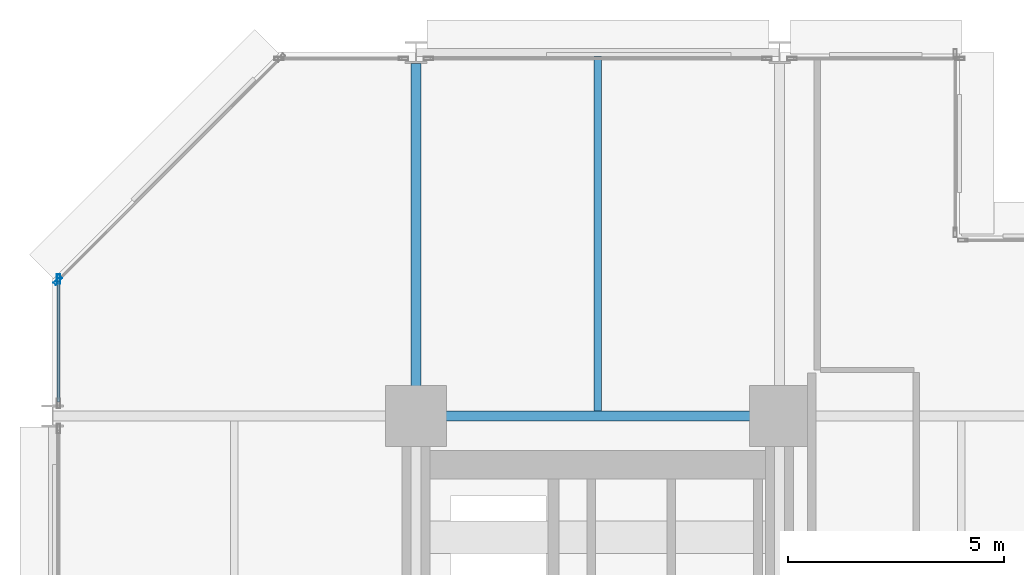
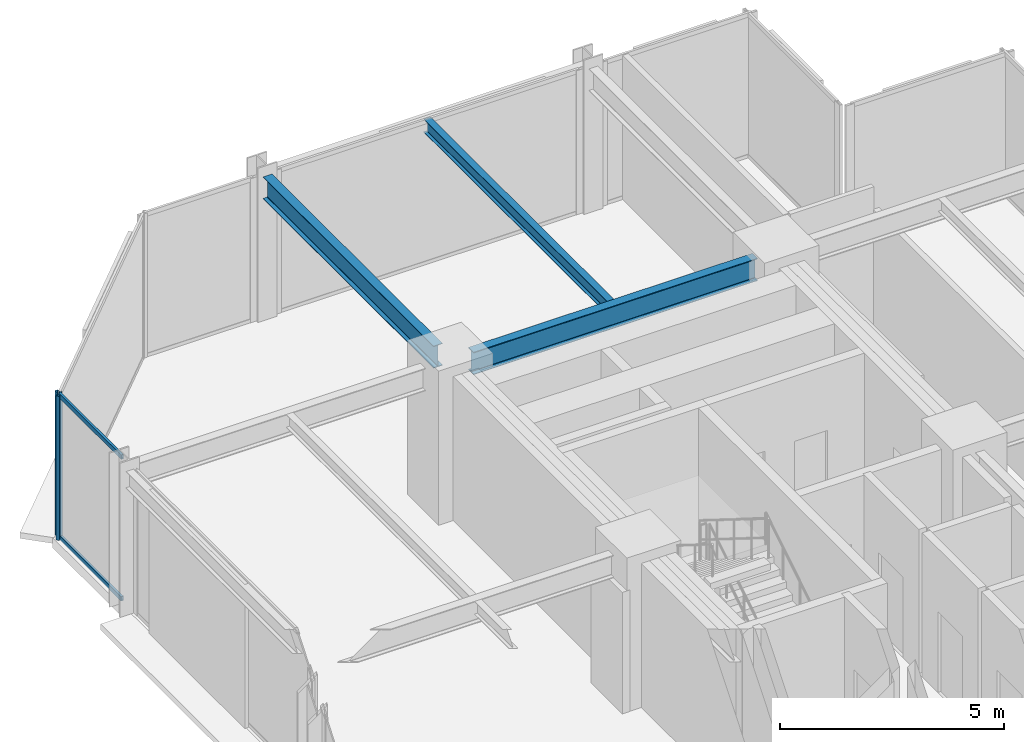
# One storey, part 15 of 25: 4 members, 3 beams, 2 elements without a shape of their own.
"""IFC4 building model written with IfcOpenShell, lengths in metres."""

from ifc_helpers import new_model, si_unit, direction, frame, origin, origin_2d, place, context, subcontext, project, spatial, hollow_rectangle, i_section, extrude, material, layer, layer_set, material_profile, profile_set, type_object, element, aggregate, save


model = new_model("IFC4")

# Units and contexts
model_context = context("Model", 3, precision=1e-05, world=origin(), true_north=direction((0.0, 1.0)))
body_context = subcontext(model_context, "Body", "Model", "MODEL_VIEW")
ifc_project = project(units=[si_unit("LENGTHUNIT", "METRE"), si_unit("AREAUNIT", "SQUARE_METRE"), si_unit("VOLUMEUNIT", "CUBIC_METRE"), si_unit("PLANEANGLEUNIT", "RADIAN"), si_unit("MASSUNIT", "GRAM", prefix="KILO")], contexts=[model_context])

# Site, building, storey
site_placement = place(None, origin())
site = spatial("IfcSite", under=ifc_project, at=site_placement, CompositionType="ELEMENT")
building_placement = place(site_placement, origin())
building = spatial("IfcBuilding", under=site, at=building_placement, Name="Nerrivon Quay Data Exchange", CompositionType="ELEMENT")
storey_placement = place(building_placement, frame((0.0, 0.0, 41.60009765625)))
storey = spatial("IfcBuildingStorey", under=building, at=storey_placement, Name="L09", CompositionType="ELEMENT", Elevation=41.60009765625)

# Beams
ifc_material_1 = material(Name="Steel Grade 350", Category="steel")
ifc_material_profile_1 = material_profile(ifc_material_1, i_section(OverallWidth=0.22900390625, OverallDepth=0.612060546875, WebThickness=0.011962890625, FlangeThickness=0.01953125, FilletRadius=0.013916015625, at=origin_2d()), Name="610UB125")
ifc_profile_set_1 = profile_set([ifc_material_profile_1], Name="Steel Grade 350")
beam_type_1 = type_object("IfcBeamType", Name="BM-G1-610UB125", PredefinedType="BEAM", material=ifc_profile_set_1)
beam_1_placement = place(storey_placement, frame((8.93994140625, 42.0, 3.618896484375), z_axis=(1.0, 0.0, 0.0), x_axis=(0.0, 1.0, 0.0)))
element("IfcBeam", 1, at=beam_1_placement, inside=storey, type_object=beam_type_1, Name="L09 EW Girder Y=42.0 (8.4..16.8)", PredefinedType="BEAM", context=body_context, shape_type="SweptSolid", body=[
    extrude(i_section(OverallWidth=0.22900390625, OverallDepth=0.612060546875, WebThickness=0.011962890625, FlangeThickness=0.01953125, FilletRadius=0.013916015625, at=origin_2d()), origin(), (0.0, 0.0, 1.0), 7.320068359375),
])
ifc_material_profile_2 = material_profile(ifc_material_1, i_section(OverallWidth=0.22802734375, OverallDepth=0.60205078125, WebThickness=0.010498046875, FlangeThickness=0.014892578125, FilletRadius=0.013916015625, at=origin_2d()), Name="610UB101")
ifc_profile_set_2 = profile_set([ifc_material_profile_2], Name="Steel Grade 350")
beam_type_2 = type_object("IfcBeamType", Name="BM-G2-610UB101", PredefinedType="BEAM", material=ifc_profile_set_2)
beam_2_placement = place(storey_placement, frame((8.39990234375, 42.5400390625, 3.6240234375), z_axis=(0.0, 1.0, 0.0), x_axis=(-1.0, 0.0, 0.0)))
element("IfcBeam", 2, at=beam_2_placement, inside=storey, type_object=beam_type_2, Name="L09 NS Girder X=8.4 (42.0..50.4)", PredefinedType="BEAM", context=body_context, shape_type="SweptSolid", body=[
    extrude(i_section(OverallWidth=0.22802734375, OverallDepth=0.60205078125, WebThickness=0.010498046875, FlangeThickness=0.014892578125, FilletRadius=0.013916015625, at=origin_2d()), origin(), (0.0, 0.0, 1.0), 7.60986328125),
])
ifc_material_profile_3 = material_profile(ifc_material_1, i_section(OverallWidth=0.172119140625, OverallDepth=0.35888671875, WebThickness=0.008056640625, FlangeThickness=0.012939453125, FilletRadius=0.011474609375, at=origin_2d()), Name="360UB56.7")
ifc_profile_set_3 = profile_set([ifc_material_profile_3], Name="Steel Grade 350")
beam_type_3 = type_object("IfcBeamType", Name="BM-J3-360UB57", PredefinedType="JOIST", material=ifc_profile_set_3)
beam_3_placement = place(storey_placement, frame((12.60009765625, 42.114501953125, 3.745361328125), z_axis=(0.0, 1.0, 0.0), x_axis=(-1.0, 0.0, 0.0)))
element("IfcBeam", 3, at=beam_3_placement, inside=storey, type_object=beam_type_3, Name="L09 Secondary Joist X=12.6 (42.0..50.4)", PredefinedType="JOIST", context=body_context, shape_type="SweptSolid", body=[
    extrude(i_section(OverallWidth=0.172119140625, OverallDepth=0.35888671875, WebThickness=0.008056640625, FlangeThickness=0.012939453125, FilletRadius=0.011474609375, at=origin_2d()), origin(), (0.0, 0.0, 1.0), 8.1904296875),
])

# Curtain wall, member
ifc_material_2 = material(Name="Anodised aluminium 6063-T6", Category="aluminium")
ifc_layer = layer(ifc_material_2, 0.219970703125)
ifc_layer_set = layer_set([ifc_layer], Name="Anodised aluminium 6063-T6")
curtain_wall_type = type_object("IfcCurtainWallType", Name="CW-SYS-01", PredefinedType="NOTDEFINED", material=ifc_layer_set)
curtain_wall_1_placement = place(storey_placement, origin())
curtain_wall_1 = element("IfcCurtainWall", 4, at=curtain_wall_1_placement, inside=storey, type_object=curtain_wall_type, Name="L09 Unitised Curtain Wall 18", PredefinedType="NOTDEFINED")
ifc_material_profile_4 = material_profile(ifc_material_2, hollow_rectangle(XDim=0.074951171875, YDim=0.219970703125, WallThickness=0.00390625, at=origin_2d()), Name="ALU-MULL-220x75")
ifc_profile_set_4 = profile_set([ifc_material_profile_4], Name="Anodised aluminium 6063-T6")
member_type_1 = type_object("IfcMemberType", Name="CWM-220x75", PredefinedType="MULLION", material=ifc_profile_set_4)
member_1_placement = place(storey_placement, frame((0.139892578125, 45.16259765625, 0.0), z_axis=(0.0, 0.0, 1.0), x_axis=(-1.0, 0.0, 0.0)))
member_1 = element("IfcMember", 5, at=member_1_placement, type_object=member_type_1, Name="CW01 mullion 2", PredefinedType="MULLION", context=body_context, shape_type="SweptSolid", body=[
    extrude(hollow_rectangle(XDim=0.074951171875, YDim=0.219970703125, WallThickness=0.00390625, at=origin_2d()), origin(), (0.0, 0.0, 1.0), 3.9248046875),
])

curtain_wall_2_placement = place(storey_placement, origin())
curtain_wall_2 = element("IfcCurtainWall", 6, at=curtain_wall_2_placement, inside=storey, type_object=curtain_wall_type, Name="L09 Unitised Curtain Wall 19", PredefinedType="NOTDEFINED")
member_2_placement = place(storey_placement, frame((0.12548828125, 45.12744140625, 0.0), z_axis=(0.0, 0.0, 1.0), x_axis=(-0.707106781187, 0.707106781187, 0.0)))
member_2 = element("IfcMember", 7, at=member_2_placement, type_object=member_type_1, Name="CW01 mullion 1", PredefinedType="MULLION", context=body_context, shape_type="SweptSolid", body=[
    extrude(hollow_rectangle(XDim=0.074951171875, YDim=0.219970703125, WallThickness=0.00390625, at=origin_2d()), origin(), (0.0, 0.0, 1.0), 3.9248046875),
])
aggregate(curtain_wall_2, [member_2])

# Member
ifc_material_profile_5 = material_profile(ifc_material_2, hollow_rectangle(XDim=0.06005859375, YDim=0.1201171875, WallThickness=0.003173828125, at=origin_2d()), Name="ALU-TRAN-120x60")
ifc_profile_set_5 = profile_set([ifc_material_profile_5], Name="Anodised aluminium 6063-T6")
member_type_2 = type_object("IfcMemberType", Name="CWT-120x60", PredefinedType="USERDEFINED", material=ifc_profile_set_5)
member_3_placement = place(storey_placement, frame((0.139892578125, 42.324951171875, 0.032470703125), z_axis=(0.0, 1.0, 0.0), x_axis=(-1.0, 0.0, 0.0)))
member_3 = element("IfcMember", 8, at=member_3_placement, type_object=member_type_2, Name="CW01 transom 1.1", ObjectType="TRANSOM", PredefinedType="USERDEFINED", context=body_context, shape_type="SweptSolid", body=[
    extrude(hollow_rectangle(XDim=0.06005859375, YDim=0.1201171875, WallThickness=0.003173828125, at=origin_2d()), origin(), (0.0, 0.0, 1.0), 2.800048828125),
])

member_4_placement = place(storey_placement, frame((0.139892578125, 42.324951171875, 3.892333984375), z_axis=(0.0, 1.0, 0.0), x_axis=(-1.0, 0.0, 0.0)))
member_4 = element("IfcMember", 9, at=member_4_placement, type_object=member_type_2, Name="CW01 transom 1.2", ObjectType="TRANSOM", PredefinedType="USERDEFINED", context=body_context, shape_type="SweptSolid", body=[
    extrude(hollow_rectangle(XDim=0.06005859375, YDim=0.1201171875, WallThickness=0.003173828125, at=origin_2d()), origin(), (0.0, 0.0, 1.0), 2.800048828125),
])

aggregate(curtain_wall_1, [member_1, member_3, member_4])

save(model, "model.ifc")
